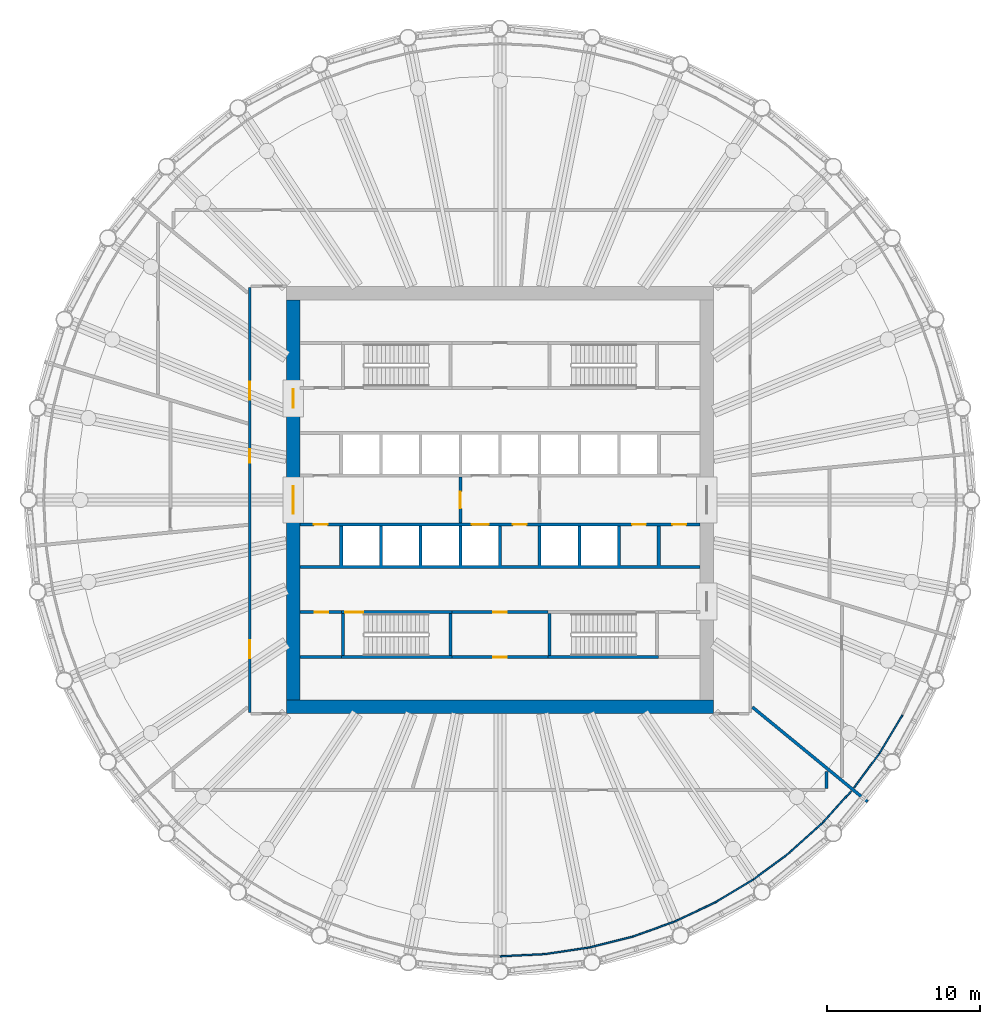
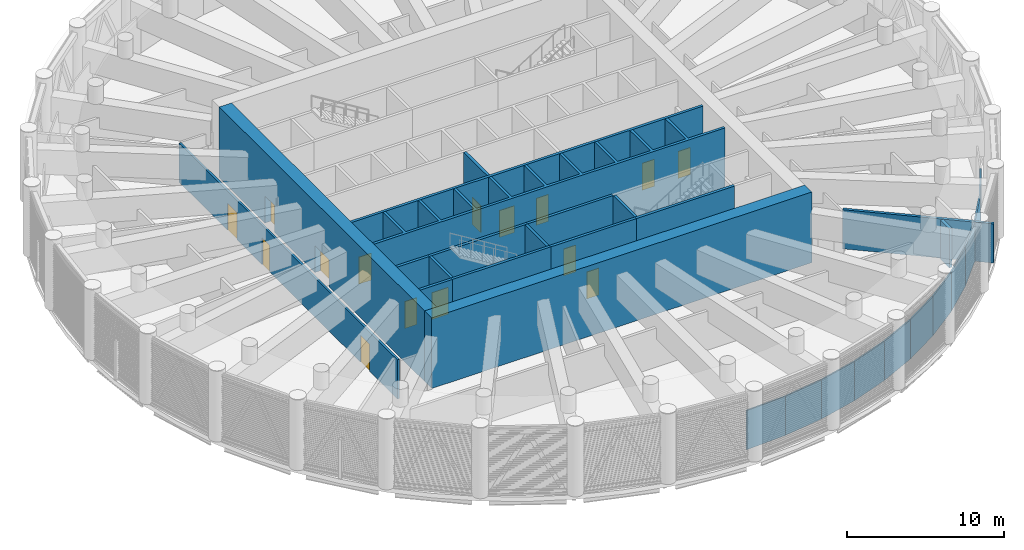
# One storey, part 8 of 23: 29 walls, 15 doors, 15 openings.
"""IFC4 building model written with IfcOpenShell, lengths in metres."""

from ifc_helpers import new_model, si_unit, direction, frame, frame_2d, origin, place, context, subcontext, project, spatial, polyline, rectangle, outline, extrude, material, layer, layer_set, type_object, element, fill, save


model = new_model("IFC4")

# Units and contexts
model_context = context("Model", 3, precision=1e-05, world=origin(), true_north=direction((0.0, 1.0)))
body_context = subcontext(model_context, "Body", "Model", "MODEL_VIEW")
ifc_project = project(units=[si_unit("LENGTHUNIT", "METRE"), si_unit("AREAUNIT", "SQUARE_METRE"), si_unit("VOLUMEUNIT", "CUBIC_METRE"), si_unit("PLANEANGLEUNIT", "RADIAN"), si_unit("MASSUNIT", "GRAM", prefix="KILO")], contexts=[model_context])

# Site, building, storey
site_placement = place(None, origin())
site = spatial("IfcSite", under=ifc_project, at=site_placement, CompositionType="ELEMENT")
building_placement = place(site_placement, origin())
building = spatial("IfcBuilding", under=site, at=building_placement, Name="Corvane Civic Tower", CompositionType="ELEMENT")
storey_placement = place(building_placement, frame((0.0, 0.0, 196.0)))
storey = spatial("IfcBuildingStorey", under=building, at=storey_placement, Name="L46", CompositionType="ELEMENT", Elevation=196.0)

# Wall
ifc_material_1 = material(Name="Concrete C60/75", Category="concrete")
ifc_layer_1 = layer(ifc_material_1, 0.89990234375)
ifc_layer_set_1 = layer_set([ifc_layer_1], Name="Concrete C60/75")
wall_type_1 = type_object("IfcWallType", Name="CORE WALL 900 C60/75", PredefinedType="SHEAR", material=ifc_layer_set_1)
wall_1_placement = place(storey_placement, frame((-14.0, -13.550048828125, 0.0), z_axis=(0.0, 0.0, 1.0), x_axis=(1.0, 0.0, 0.0)))
element("IfcWall", 1, at=wall_1_placement, inside=storey, type_object=wall_type_1, Name="W-L46-core-S", PredefinedType="SHEAR", context=body_context, shape_type="SweptSolid", body=[
    extrude(rectangle(XDim=28.0, YDim=0.89990234375, at=frame_2d((14.0, 0.0))), origin(), (0.0, 0.0, 1.0), 5.5),
])

# Wall, openings, doors
wall_2_placement = place(storey_placement, frame((-13.550048828125, -13.10009765625, 0.0), z_axis=(0.0, 0.0, 1.0), x_axis=(0.0, 1.0, 0.0)))
wall_2 = element("IfcWall", 2, at=wall_2_placement, inside=storey, type_object=wall_type_1, Name="W-L46-core-W", PredefinedType="SHEAR", context=body_context, shape_type="SweptSolid", body=[
    extrude(rectangle(XDim=26.2001953125, YDim=0.89990234375, at=frame_2d((13.10009765625, 0.0))), origin(), (0.0, 0.0, 1.0), 5.5),
])
opening_1_placement = place(wall_2_placement, frame((12.199951171875, 0.0, 0.0)))
opening_1 = element("IfcOpeningElement", 3, at=opening_1_placement, cuts=wall_2, Name="Opening L46.C21", PredefinedType="OPENING", context=body_context, shape_type="SweptSolid", body=[
    extrude(rectangle(XDim=1.800048828125, YDim=2.10009765625, at=frame_2d((0.89990234375, 1.050048828125))), frame((0.0, 0.4599609375, 0.0), z_axis=(0.0, -1.0, 0.0), x_axis=(1.0, 0.0, 0.0)), (0.0, 0.0, 1.0), 0.919921875),
])
opening_2_placement = place(wall_2_placement, frame((19.14990234375, 0.0, 0.0)))
opening_2 = element("IfcOpeningElement", 4, at=opening_2_placement, cuts=wall_2, Name="Opening L46.C23", PredefinedType="OPENING", context=body_context, shape_type="SweptSolid", body=[
    extrude(rectangle(XDim=1.199951171875, YDim=2.10009765625, at=frame_2d((0.60009765625, 1.050048828125))), frame((0.0, 0.4599609375, 0.0), z_axis=(0.0, -1.0, 0.0), x_axis=(1.0, 0.0, 0.0)), (0.0, 0.0, 1.0), 0.919921875),
])
ifc_material_2 = material(Name="Steel fire door leaf", Category="steel")
door_type_1 = type_object("IfcDoorType", Name="CR-DOOR-CORE-1800", OperationType="DOUBLE_DOOR_SINGLE_SWING", PredefinedType="DOOR", material=ifc_material_2)
door_1_placement = place(opening_1_placement, origin())
door_1 = element("IfcDoor", 5, at=door_1_placement, inside=storey, type_object=door_type_1, Name="L46 door", OperationType="DOUBLE_DOOR_SINGLE_SWING", OverallHeight=2.10009765625, OverallWidth=1.800048828125, PredefinedType="DOOR", context=body_context, shape_type="SweptSolid", body=[
    extrude(rectangle(XDim=1.800048828125, YDim=2.10009765625, at=frame_2d((0.89990234375, 1.050048828125))), frame((0.0, 0.02490234375, 0.0), z_axis=(0.0, -1.0, 0.0), x_axis=(1.0, 0.0, 0.0)), (0.0, 0.0, 1.0), 0.050048828125),
])
fill(opening_1, door_1)
door_2_placement = place(opening_2_placement, origin())
door_2 = element("IfcDoor", 6, at=door_2_placement, inside=storey, type_object=door_type_1, Name="L46 door", OperationType="DOUBLE_DOOR_SINGLE_SWING", OverallHeight=2.10009765625, OverallWidth=1.199951171875, PredefinedType="DOOR", context=body_context, shape_type="SweptSolid", body=[
    extrude(rectangle(XDim=1.199951171875, YDim=2.10009765625, at=frame_2d((0.60009765625, 1.050048828125))), frame((0.0, 0.02490234375, 0.0), z_axis=(0.0, -1.0, 0.0), x_axis=(1.0, 0.0, 0.0)), (0.0, 0.0, 1.0), 0.050048828125),
])
fill(opening_2, door_2)

# Wall, opening, door
ifc_material_3 = material(Name="Concrete C30/37", Category="concrete")
ifc_layer_2 = layer(ifc_material_3, 0.199951171875)
ifc_layer_set_2 = layer_set([ifc_layer_2], Name="Concrete C30/37")
wall_type_2 = type_object("IfcWallType", Name="CR-WALL-200", PredefinedType="PARTITIONING", material=ifc_layer_set_2)
wall_3_placement = place(storey_placement, frame((-3.14990234375, -10.300048828125, 0.0), z_axis=(0.0, 0.0, 1.0), x_axis=(1.0, 0.0, 0.0)))
wall_3 = element("IfcWall", 7, at=wall_3_placement, inside=storey, type_object=wall_type_2, Name="L46 partition wall", PredefinedType="PARTITIONING", context=body_context, shape_type="SweptSolid", body=[
    extrude(rectangle(XDim=6.2998046875, YDim=0.199951171875, at=frame_2d((3.14990234375, 0.0))), origin(), (0.0, 0.0, 1.0), 5.050048828125),
])
opening_3_placement = place(wall_3_placement, frame((2.699951171875, 0.0, 0.0)))
opening_3 = element("IfcOpeningElement", 8, at=opening_3_placement, cuts=wall_3, Name="Opening L46.C10", PredefinedType="OPENING", context=body_context, shape_type="SweptSolid", body=[
    extrude(rectangle(XDim=0.89990234375, YDim=2.10009765625, at=frame_2d((0.449951171875, 1.050048828125))), frame((0.0, 0.10986328125, 0.0), z_axis=(0.0, -1.0, 0.0), x_axis=(1.0, 0.0, 0.0)), (0.0, 0.0, 1.0), 0.219970703125),
])
ifc_material_4 = material(Name="Steel fire door leaf", Category="steel")
door_type_2 = type_object("IfcDoorType", Name="CR-DOOR-900", OperationType="SINGLE_SWING_LEFT", PredefinedType="DOOR", material=ifc_material_4)
door_3_placement = place(opening_3_placement, origin())
door_3 = element("IfcDoor", 9, at=door_3_placement, inside=storey, type_object=door_type_2, Name="L46 door", OperationType="SINGLE_SWING_LEFT", OverallHeight=2.10009765625, OverallWidth=0.89990234375, PredefinedType="DOOR", context=body_context, shape_type="SweptSolid", body=[
    extrude(rectangle(XDim=0.89990234375, YDim=2.10009765625, at=frame_2d((0.449951171875, 1.050048828125))), frame((0.0, 0.02490234375, 0.0), z_axis=(0.0, -1.0, 0.0), x_axis=(1.0, 0.0, 0.0)), (0.0, 0.0, 1.0), 0.050048828125),
])
fill(opening_3, door_3)

wall_4_placement = place(storey_placement, frame((-13.10009765625, -7.35009765625, 0.0), z_axis=(0.0, 0.0, 1.0), x_axis=(1.0, 0.0, 0.0)))
wall_4 = element("IfcWall", 10, at=wall_4_placement, inside=storey, type_object=wall_type_2, Name="L46 core partition wall", PredefinedType="PARTITIONING", context=body_context, shape_type="SweptSolid", body=[
    extrude(rectangle(XDim=2.7001953125, YDim=0.199951171875, at=frame_2d((1.35009765625, 0.0))), origin(), (0.0, 0.0, 1.0), 5.050048828125),
])
opening_4_placement = place(wall_4_placement, frame((0.949951171875, 0.0, 0.0)))
opening_4 = element("IfcOpeningElement", 11, at=opening_4_placement, cuts=wall_4, Name="Opening L46.C12", PredefinedType="OPENING", context=body_context, shape_type="SweptSolid", body=[
    extrude(rectangle(XDim=0.89990234375, YDim=2.10009765625, at=frame_2d((0.449951171875, 1.050048828125))), frame((0.0, 0.10986328125, 0.0), z_axis=(0.0, -1.0, 0.0), x_axis=(1.0, 0.0, 0.0)), (0.0, 0.0, 1.0), 0.219970703125),
])
door_4_placement = place(opening_4_placement, origin())
door_4 = element("IfcDoor", 12, at=door_4_placement, inside=storey, type_object=door_type_2, Name="L46 door", OperationType="SINGLE_SWING_LEFT", OverallHeight=2.10009765625, OverallWidth=0.89990234375, PredefinedType="DOOR", context=body_context, shape_type="SweptSolid", body=[
    extrude(rectangle(XDim=0.89990234375, YDim=2.10009765625, at=frame_2d((0.449951171875, 1.050048828125))), frame((0.0, 0.02490234375, 0.0), z_axis=(0.0, -1.0, 0.0), x_axis=(1.0, 0.0, 0.0)), (0.0, 0.0, 1.0), 0.050048828125),
])
fill(opening_4, door_4)

wall_5_placement = place(storey_placement, frame((-3.14990234375, -7.35009765625, 0.0), z_axis=(0.0, 0.0, 1.0), x_axis=(1.0, 0.0, 0.0)))
wall_5 = element("IfcWall", 13, at=wall_5_placement, inside=storey, type_object=wall_type_2, Name="L46 core partition wall", PredefinedType="PARTITIONING", context=body_context, shape_type="SweptSolid", body=[
    extrude(rectangle(XDim=6.2998046875, YDim=0.199951171875, at=frame_2d((3.14990234375, 0.0))), origin(), (0.0, 0.0, 1.0), 5.050048828125),
])
opening_5_placement = place(wall_5_placement, frame((2.699951171875, 0.0, 0.0)))
opening_5 = element("IfcOpeningElement", 14, at=opening_5_placement, cuts=wall_5, Name="Opening L46.C08", PredefinedType="OPENING", context=body_context, shape_type="SweptSolid", body=[
    extrude(rectangle(XDim=0.89990234375, YDim=2.10009765625, at=frame_2d((0.449951171875, 1.050048828125))), frame((0.0, 0.10986328125, 0.0), z_axis=(0.0, -1.0, 0.0), x_axis=(1.0, 0.0, 0.0)), (0.0, 0.0, 1.0), 0.219970703125),
])
door_5_placement = place(opening_5_placement, origin())
door_5 = element("IfcDoor", 15, at=door_5_placement, inside=storey, type_object=door_type_2, Name="L46 door", OperationType="SINGLE_SWING_LEFT", OverallHeight=2.10009765625, OverallWidth=0.89990234375, PredefinedType="DOOR", context=body_context, shape_type="SweptSolid", body=[
    extrude(rectangle(XDim=0.89990234375, YDim=2.10009765625, at=frame_2d((0.449951171875, 1.050048828125))), frame((0.0, 0.02490234375, 0.0), z_axis=(0.0, -1.0, 0.0), x_axis=(1.0, 0.0, 0.0)), (0.0, 0.0, 1.0), 0.050048828125),
])
fill(opening_5, door_5)

# Wall, openings, doors
wall_6_placement = place(storey_placement, frame((-13.10009765625, -1.60009765625, 0.0), z_axis=(0.0, 0.0, 1.0), x_axis=(1.0, 0.0, 0.0)))
wall_6 = element("IfcWall", 16, at=wall_6_placement, inside=storey, type_object=wall_type_2, Name="L46 lift shaft wall", PredefinedType="PARTITIONING", context=body_context, shape_type="SweptSolid", body=[
    extrude(rectangle(XDim=26.2001953125, YDim=0.199951171875, at=frame_2d((13.10009765625, 0.0))), origin(), (0.0, 0.0, 1.0), 5.050048828125),
])
opening_6_placement = place(wall_6_placement, frame((11.25, 0.0, 0.0)))
opening_6 = element("IfcOpeningElement", 17, at=opening_6_placement, cuts=wall_6, Name="Opening LD", PredefinedType="OPENING", context=body_context, shape_type="SweptSolid", body=[
    extrude(rectangle(XDim=1.10009765625, YDim=2.10009765625, at=frame_2d((0.550048828125, 1.050048828125))), frame((0.0, 0.10986328125, 0.0), z_axis=(0.0, -1.0, 0.0), x_axis=(1.0, 0.0, 0.0)), (0.0, 0.0, 1.0), 0.219970703125),
])
opening_7_placement = place(wall_6_placement, frame((13.949951171875, 0.0, 0.0)))
opening_7 = element("IfcOpeningElement", 18, at=opening_7_placement, cuts=wall_6, Name="Opening L46.C03", PredefinedType="OPENING", context=body_context, shape_type="SweptSolid", body=[
    extrude(rectangle(XDim=0.89990234375, YDim=2.10009765625, at=frame_2d((0.449951171875, 1.050048828125))), frame((0.0, 0.10986328125, 0.0), z_axis=(0.0, -1.0, 0.0), x_axis=(1.0, 0.0, 0.0)), (0.0, 0.0, 1.0), 0.219970703125),
])
opening_8_placement = place(wall_6_placement, frame((0.89990234375, 0.0, 0.0)))
opening_8 = element("IfcOpeningElement", 19, at=opening_8_placement, cuts=wall_6, Name="Opening L46.C04", PredefinedType="OPENING", context=body_context, shape_type="SweptSolid", body=[
    extrude(rectangle(XDim=0.89990234375, YDim=2.10009765625, at=frame_2d((0.449951171875, 1.050048828125))), frame((0.0, 0.10986328125, 0.0), z_axis=(0.0, -1.0, 0.0), x_axis=(1.0, 0.0, 0.0)), (0.0, 0.0, 1.0), 0.219970703125),
])
opening_9_placement = place(wall_6_placement, frame((21.75, 0.0, 0.0)))
opening_9 = element("IfcOpeningElement", 20, at=opening_9_placement, cuts=wall_6, Name="Opening L46.C05", PredefinedType="OPENING", context=body_context, shape_type="SweptSolid", body=[
    extrude(rectangle(XDim=0.89990234375, YDim=2.10009765625, at=frame_2d((0.449951171875, 1.050048828125))), frame((0.0, 0.10986328125, 0.0), z_axis=(0.0, -1.0, 0.0), x_axis=(1.0, 0.0, 0.0)), (0.0, 0.0, 1.0), 0.219970703125),
])
opening_10_placement = place(wall_6_placement, frame((24.39990234375, 0.0, 0.0)))
opening_10 = element("IfcOpeningElement", 21, at=opening_10_placement, cuts=wall_6, Name="Opening L46.C06", PredefinedType="OPENING", context=body_context, shape_type="SweptSolid", body=[
    extrude(rectangle(XDim=0.89990234375, YDim=2.10009765625, at=frame_2d((0.449951171875, 1.050048828125))), frame((0.0, 0.10986328125, 0.0), z_axis=(0.0, -1.0, 0.0), x_axis=(1.0, 0.0, 0.0)), (0.0, 0.0, 1.0), 0.219970703125),
])
door_6_placement = place(opening_7_placement, origin())
door_6 = element("IfcDoor", 22, at=door_6_placement, inside=storey, type_object=door_type_2, Name="L46 door", OperationType="SINGLE_SWING_LEFT", OverallHeight=2.10009765625, OverallWidth=0.89990234375, PredefinedType="DOOR", context=body_context, shape_type="SweptSolid", body=[
    extrude(rectangle(XDim=0.89990234375, YDim=2.10009765625, at=frame_2d((0.449951171875, 1.050048828125))), frame((0.0, 0.02490234375, 0.0), z_axis=(0.0, -1.0, 0.0), x_axis=(1.0, 0.0, 0.0)), (0.0, 0.0, 1.0), 0.050048828125),
])
fill(opening_7, door_6)
door_7_placement = place(opening_8_placement, origin())
door_7 = element("IfcDoor", 23, at=door_7_placement, inside=storey, type_object=door_type_2, Name="L46 door", OperationType="SINGLE_SWING_LEFT", OverallHeight=2.10009765625, OverallWidth=0.89990234375, PredefinedType="DOOR", context=body_context, shape_type="SweptSolid", body=[
    extrude(rectangle(XDim=0.89990234375, YDim=2.10009765625, at=frame_2d((0.449951171875, 1.050048828125))), frame((0.0, 0.02490234375, 0.0), z_axis=(0.0, -1.0, 0.0), x_axis=(1.0, 0.0, 0.0)), (0.0, 0.0, 1.0), 0.050048828125),
])
fill(opening_8, door_7)
door_8_placement = place(opening_9_placement, origin())
door_8 = element("IfcDoor", 24, at=door_8_placement, inside=storey, type_object=door_type_2, Name="L46 door", OperationType="SINGLE_SWING_LEFT", OverallHeight=2.10009765625, OverallWidth=0.89990234375, PredefinedType="DOOR", context=body_context, shape_type="SweptSolid", body=[
    extrude(rectangle(XDim=0.89990234375, YDim=2.10009765625, at=frame_2d((0.449951171875, 1.050048828125))), frame((0.0, 0.02490234375, 0.0), z_axis=(0.0, -1.0, 0.0), x_axis=(1.0, 0.0, 0.0)), (0.0, 0.0, 1.0), 0.050048828125),
])
fill(opening_9, door_8)
door_9_placement = place(opening_10_placement, origin())
door_9 = element("IfcDoor", 25, at=door_9_placement, inside=storey, type_object=door_type_2, Name="L46 door", OperationType="SINGLE_SWING_LEFT", OverallHeight=2.10009765625, OverallWidth=0.89990234375, PredefinedType="DOOR", context=body_context, shape_type="SweptSolid", body=[
    extrude(rectangle(XDim=0.89990234375, YDim=2.10009765625, at=frame_2d((0.449951171875, 1.050048828125))), frame((0.0, 0.02490234375, 0.0), z_axis=(0.0, -1.0, 0.0), x_axis=(1.0, 0.0, 0.0)), (0.0, 0.0, 1.0), 0.050048828125),
])
fill(opening_10, door_9)
ifc_material_5 = material(Name="Stainless steel 316 door leaves", Category="steel")
door_type_3 = type_object("IfcDoorType", Name="LD", OperationType="DOUBLE_DOOR_SLIDING", PredefinedType="DOOR", material=ifc_material_5)
door_10_placement = place(opening_6_placement, origin())
door_10 = element("IfcDoor", 26, at=door_10_placement, inside=storey, type_object=door_type_3, Name="L46 landing door", OperationType="DOUBLE_DOOR_SLIDING", OverallHeight=2.10009765625, OverallWidth=1.10009765625, PredefinedType="DOOR", context=body_context, shape_type="SweptSolid", body=[
    extrude(rectangle(XDim=1.10009765625, YDim=2.10009765625, at=frame_2d((0.550048828125, 1.050048828125))), frame((0.0, 0.02490234375, 0.0), z_axis=(0.0, -1.0, 0.0), x_axis=(1.0, 0.0, 0.0)), (0.0, 0.0, 1.0), 0.050048828125),
])
fill(opening_6, door_10)

# Wall, opening, door
wall_7_placement = place(storey_placement, frame((-2.60009765625, -1.5, 0.0), z_axis=(0.0, 0.0, 1.0), x_axis=(0.0, 1.0, 0.0)))
wall_7 = element("IfcWall", 27, at=wall_7_placement, inside=storey, type_object=wall_type_2, Name="L46 firefighting lobby wall", PredefinedType="PARTITIONING", context=body_context, shape_type="SweptSolid", body=[
    extrude(rectangle(XDim=3.0, YDim=0.199951171875, at=frame_2d((1.5, 0.0))), origin(), (0.0, 0.0, 1.0), 5.050048828125),
])
opening_11_placement = place(wall_7_placement, frame((0.949951171875, 0.0, 0.0)))
opening_11 = element("IfcOpeningElement", 28, at=opening_11_placement, cuts=wall_7, Name="Opening L46.C19", PredefinedType="OPENING", context=body_context, shape_type="SweptSolid", body=[
    extrude(rectangle(XDim=1.10009765625, YDim=2.10009765625, at=frame_2d((0.550048828125, 1.050048828125))), frame((0.0, 0.10986328125, 0.0), z_axis=(0.0, -1.0, 0.0), x_axis=(1.0, 0.0, 0.0)), (0.0, 0.0, 1.0), 0.219970703125),
])
ifc_material_6 = material(Name="Steel fire door leaf", Category="steel")
door_type_4 = type_object("IfcDoorType", Name="CR-DOOR-FFL-1100", OperationType="SINGLE_SWING_LEFT", PredefinedType="DOOR", material=ifc_material_6)
door_11_placement = place(opening_11_placement, origin())
door_11 = element("IfcDoor", 29, at=door_11_placement, inside=storey, type_object=door_type_4, Name="L46 lobby door", OperationType="SINGLE_SWING_LEFT", OverallHeight=2.10009765625, OverallWidth=1.10009765625, PredefinedType="DOOR", context=body_context, shape_type="SweptSolid", body=[
    extrude(rectangle(XDim=1.10009765625, YDim=2.10009765625, at=frame_2d((0.550048828125, 1.050048828125))), frame((0.0, 0.02490234375, 0.0), z_axis=(0.0, -1.0, 0.0), x_axis=(1.0, 0.0, 0.0)), (0.0, 0.0, 1.0), 0.050048828125),
])
fill(opening_11, door_11)

# Walls
wall_8_placement = place(storey_placement, origin())
element("IfcWall", 30, at=wall_8_placement, inside=storey, type_object=wall_type_2, Name="L46 core partition wall", PredefinedType="PARTITIONING", context=body_context, shape_type="SweptSolid", body=[
    extrude(outline(polyline([(-10.39990234375, -10.39990234375), (-13.10009765625, -10.39990234375), (-13.10009765625, -10.199951171875), (-10.39990234375, -10.199951171875), (-10.39990234375, -10.39990234375)])), origin(), (0.0, 0.0, 1.0), 5.050048828125),
])
wall_9_placement = place(storey_placement, origin())
element("IfcWall", 31, at=wall_9_placement, inside=storey, type_object=wall_type_2, Name="L46 core partition wall", PredefinedType="PARTITIONING", context=body_context, shape_type="SweptSolid", body=[
    extrude(outline(polyline([(-10.5, -1.699951171875), (-10.300048828125, -1.699951171875), (-10.300048828125, -4.300048828125), (-7.89990234375, -4.300048828125), (-7.89990234375, -1.699951171875), (-7.699951171875, -1.699951171875), (-7.699951171875, -4.300048828125), (-5.300048828125, -4.300048828125), (-5.300048828125, -1.699951171875), (-5.10009765625, -1.699951171875), (-5.10009765625, -4.300048828125), (-2.699951171875, -4.300048828125), (-2.699951171875, -1.699951171875), (-2.5, -1.699951171875), (-2.5, -4.300048828125), (-0.10009765625, -4.300048828125), (-0.10009765625, -1.699951171875), (0.10009765625, -1.699951171875), (0.10009765625, -4.300048828125), (2.5, -4.300048828125), (2.5, -1.699951171875), (2.699951171875, -1.699951171875), (2.699951171875, -4.300048828125), (5.10009765625, -4.300048828125), (5.10009765625, -1.699951171875), (5.300048828125, -1.699951171875), (5.300048828125, -4.300048828125), (7.699951171875, -4.300048828125), (7.699951171875, -1.699951171875), (7.89990234375, -1.699951171875), (7.89990234375, -4.300048828125), (10.300048828125, -4.300048828125), (10.300048828125, -1.699951171875), (10.5, -1.699951171875), (10.5, -4.300048828125), (13.10009765625, -4.300048828125), (13.10009765625, -4.5), (-13.10009765625, -4.5), (-13.10009765625, -4.300048828125), (-10.5, -4.300048828125), (-10.5, -1.699951171875)])), origin(), (0.0, 0.0, 1.0), 5.050048828125),
])
ifc_material_7 = material(Name="Plasterboard")
ifc_layer_3 = layer(ifc_material_7, 0.10009765625)
ifc_layer_set_3 = layer_set([ifc_layer_3], Name="Plasterboard")
wall_type_3 = type_object("IfcWallType", Name="Partition 100 plasterboard on studs", PredefinedType="PARTITIONING", material=ifc_layer_set_3)
for number, where, z_axis, x_axis, name in (
    (32, (0.0, -29.898681640625, 0.0), (0.0, 0.0, 1.0), (0.998798385144, 0.049008018065, 0.0), "Partition L46.059"),
    (33, (2.9306640625, -29.7548828125, 0.0), (0.0, 0.0, 1.0), (0.989169482721, 0.146777840471, 0.0), "Partition L46.061"),
    (34, (5.8330078125, -29.32421875, 0.0), (0.0, 0.0, 1.0), (0.970015110427, 0.243044616363, 0.0), "Partition L46.063"),
):
    element("IfcWall", number, at=place(storey_placement, frame(where, z_axis=z_axis, x_axis=x_axis)), inside=storey, type_object=wall_type_3, Name=name, PredefinedType="PARTITIONING", context=body_context, shape_type="SweptSolid", body=[
        extrude(rectangle(XDim=2.93408203125, YDim=0.10009765625, at=frame_2d((1.467041015625, 0.0))), origin(), (0.0, 0.0, 1.0), 3.050048828125),
    ])
wall_10_placement = place(storey_placement, frame((8.67919921875, -28.611083984375, 0.0), z_axis=(0.0, 0.0, 1.0), x_axis=(0.941559155227, 0.336847676567, 0.0)))
element("IfcWall", 35, at=wall_10_placement, inside=storey, type_object=wall_type_3, Name="Partition L46.065", PredefinedType="PARTITIONING", context=body_context, shape_type="SweptSolid", body=[
    extrude(rectangle(XDim=2.933837890625, YDim=0.10009765625, at=frame_2d((1.466796875, 0.0))), origin(), (0.0, 0.0, 1.0), 3.050048828125),
])
wall_11_placement = place(storey_placement, frame((11.441650390625, -27.622802734375, 0.0), z_axis=(0.0, 0.0, 1.0), x_axis=(0.90401380602, 0.42750326142, 0.0)))
element("IfcWall", 36, at=wall_11_placement, inside=storey, type_object=wall_type_3, Name="Partition L46.067", PredefinedType="PARTITIONING", context=body_context, shape_type="SweptSolid", body=[
    extrude(rectangle(XDim=2.934326171875, YDim=0.10009765625, at=frame_2d((1.46728515625, 0.0))), origin(), (0.0, 0.0, 1.0), 3.050048828125),
])
wall_12_placement = place(storey_placement, frame((14.09423828125, -26.368408203125, 0.0), z_axis=(0.0, 0.0, 1.0), x_axis=(0.857705766305, 0.514140854676, 0.0)))
element("IfcWall", 37, at=wall_12_placement, inside=storey, type_object=wall_type_3, Name="Partition L46.069", PredefinedType="PARTITIONING", context=body_context, shape_type="SweptSolid", body=[
    extrude(rectangle(XDim=2.93408203125, YDim=0.10009765625, at=frame_2d((1.467041015625, 0.0))), origin(), (0.0, 0.0, 1.0), 3.050048828125),
])
wall_13_placement = place(storey_placement, frame((16.61083984375, -24.85986328125, 0.0), z_axis=(0.0, 0.0, 1.0), x_axis=(0.803173799332, 0.595744784338, 0.0)))
element("IfcWall", 38, at=wall_13_placement, inside=storey, type_object=wall_type_3, Name="Partition L46.071", PredefinedType="PARTITIONING", context=body_context, shape_type="SweptSolid", body=[
    extrude(rectangle(XDim=2.934326171875, YDim=0.10009765625, at=frame_2d((1.46728515625, 0.0))), origin(), (0.0, 0.0, 1.0), 3.050048828125),
])
wall_14_placement = place(storey_placement, frame((18.967529296875, -23.11181640625, 0.0), z_axis=(0.0, 0.0, 1.0), x_axis=(0.740993420885, 0.671512285968, 0.0)))
element("IfcWall", 39, at=wall_14_placement, inside=storey, type_object=wall_type_3, Name="Partition L46.073", PredefinedType="PARTITIONING", context=body_context, shape_type="SweptSolid", body=[
    extrude(rectangle(XDim=2.93408203125, YDim=0.10009765625, at=frame_2d((1.467041015625, 0.0))), origin(), (0.0, 0.0, 1.0), 3.050048828125),
])
for number, where, z_axis, x_axis, name in (
    (40, (21.1416015625, -21.1416015625, 0.0), (0.0, 0.0, 1.0), (0.671519424739, 0.740986951436, 0.0), "Partition L46.075"),
    (41, (23.195556640625, -18.85498046875, 0.0), (0.0, 0.0, 1.0), (0.595685108219, 0.80321805996, 0.0), "Partition L46.077"),
):
    element("IfcWall", number, at=place(storey_placement, frame(where, z_axis=z_axis, x_axis=x_axis)), inside=storey, type_object=wall_type_3, Name=name, PredefinedType="PARTITIONING", context=body_context, shape_type="SweptSolid", body=[
        extrude(rectangle(XDim=2.7939453125, YDim=0.10009765625, at=frame_2d((1.39697265625, 0.0))), origin(), (0.0, 0.0, 1.0), 3.050048828125),
    ])
wall_15_placement = place(storey_placement, frame((24.85986328125, -16.61083984375, 0.0), z_axis=(0.0, 0.0, 1.0), x_axis=(0.514140854676, 0.857705766305, 0.0)))
element("IfcWall", 42, at=wall_15_placement, inside=storey, type_object=wall_type_3, Name="Partition L46.079", PredefinedType="PARTITIONING", context=body_context, shape_type="SweptSolid", body=[
    extrude(rectangle(XDim=2.93408203125, YDim=0.10009765625, at=frame_2d((1.467041015625, 0.0))), origin(), (0.0, 0.0, 1.0), 3.050048828125),
])
ifc_material_8 = material(Name="Gypsum fibreboard")
ifc_layer_4 = layer(ifc_material_8, 0.199951171875)
ifc_layer_set_4 = layer_set([ifc_layer_4], Name="Gypsum fibreboard")
wall_type_4 = type_object("IfcWallType", Name="Plant and refuge wall 200 EI 120", PredefinedType="PARTITIONING", material=ifc_layer_set_4)
wall_16_placement = place(storey_placement, frame((16.538330078125, -13.57275390625, 0.0), z_axis=(0.0, 0.0, 1.0), x_axis=(0.773012005749, -0.634391392571, 0.0)))
element("IfcWall", 43, at=wall_16_placement, inside=storey, type_object=wall_type_4, Name="Partition L46.002", PredefinedType="PARTITIONING", context=body_context, shape_type="SweptSolid", body=[
    extrude(rectangle(XDim=9.75537109375, YDim=0.199951171875, at=frame_2d((4.877685546875, 0.0))), origin(), (0.0, 0.0, 1.0), 3.050048828125),
])
wall_17_placement = place(storey_placement, frame((21.39990234375, -18.89990234375, 0.0), z_axis=(0.0, 0.0, 1.0), x_axis=(0.0, 1.0, 0.0)))
element("IfcWall", 44, at=wall_17_placement, inside=storey, type_object=wall_type_4, Name="Partition L46.005", PredefinedType="PARTITIONING", context=body_context, shape_type="SweptSolid", body=[
    extrude(rectangle(XDim=1.1259765625, YDim=0.199951171875, at=frame_2d((0.56298828125, 0.0))), origin(), (0.0, 0.0, 1.0), 3.050048828125),
])

# Wall, opening, door
ifc_material_9 = material(Name="Concrete C50/60", Category="concrete")
ifc_layer_5 = layer(ifc_material_9, 0.199951171875)
ifc_layer_set_5 = layer_set([ifc_layer_5], Name="Concrete C50/60")
wall_type_5 = type_object("IfcWallType", Name="ST-WALL-200", PredefinedType="SHEAR", material=ifc_layer_set_5)
wall_18_placement = place(storey_placement, frame((-10.39990234375, -7.35009765625, 0.0), z_axis=(0.0, 0.0, 1.0), x_axis=(1.0, 0.0, 0.0)))
wall_18 = element("IfcWall", 45, at=wall_18_placement, inside=storey, type_object=wall_type_5, Name="L46 stair enclosure wall", PredefinedType="SHEAR", context=body_context, shape_type="SweptSolid", body=[
    extrude(rectangle(XDim=7.25, YDim=0.199951171875, at=frame_2d((3.625, 0.0))), origin(), (0.0, 0.0, 1.0), 5.050048828125),
])
opening_12_placement = place(wall_18_placement, frame((0.25, 0.0, 0.0)))
opening_12 = element("IfcOpeningElement", 46, at=opening_12_placement, cuts=wall_18, Name="Opening L46.C18", PredefinedType="OPENING", context=body_context, shape_type="SweptSolid", body=[
    extrude(rectangle(XDim=1.199951171875, YDim=2.10009765625, at=frame_2d((0.60009765625, 1.050048828125))), frame((0.0, 0.10986328125, 0.0), z_axis=(0.0, -1.0, 0.0), x_axis=(1.0, 0.0, 0.0)), (0.0, 0.0, 1.0), 0.219970703125),
])
ifc_material_10 = material(Name="Steel fire door leaf", Category="steel")
door_type_5 = type_object("IfcDoorType", Name="ST-DOOR-1200", OperationType="SINGLE_SWING_RIGHT", PredefinedType="DOOR", material=ifc_material_10)
door_12_placement = place(opening_12_placement, origin())
door_12 = element("IfcDoor", 47, at=door_12_placement, inside=storey, type_object=door_type_5, Name="L46 stair door", OperationType="SINGLE_SWING_RIGHT", OverallHeight=2.10009765625, OverallWidth=1.199951171875, PredefinedType="DOOR", context=body_context, shape_type="SweptSolid", body=[
    extrude(rectangle(XDim=1.199951171875, YDim=2.10009765625, at=frame_2d((0.60009765625, 1.050048828125))), frame((0.0, 0.02490234375, 0.0), z_axis=(0.0, -1.0, 0.0), x_axis=(1.0, 0.0, 0.0)), (0.0, 0.0, 1.0), 0.050048828125),
])
fill(opening_12, door_12)

# Walls
wall_19_placement = place(storey_placement, origin())
element("IfcWall", 48, at=wall_19_placement, inside=storey, type_object=wall_type_5, Name="L46 stair enclosure wall", PredefinedType="SHEAR", context=body_context, shape_type="SweptSolid", body=[
    extrude(outline(polyline([(-3.14990234375, -10.199951171875), (-3.14990234375, -10.39990234375), (-10.39990234375, -10.39990234375), (-10.39990234375, -10.199951171875), (-3.14990234375, -10.199951171875)])), origin(), (0.0, 0.0, 1.0), 5.050048828125),
])
wall_20_placement = place(storey_placement, origin())
element("IfcWall", 49, at=wall_20_placement, inside=storey, type_object=wall_type_5, Name="L46 stair enclosure wall", PredefinedType="SHEAR", context=body_context, shape_type="SweptSolid", body=[
    extrude(outline(polyline([(10.39990234375, -10.39990234375), (3.14990234375, -10.39990234375), (3.14990234375, -10.199951171875), (10.39990234375, -10.199951171875), (10.39990234375, -10.39990234375)])), origin(), (0.0, 0.0, 1.0), 5.050048828125),
])
wall_21_placement = place(storey_placement, origin())
element("IfcWall", 50, at=wall_21_placement, inside=storey, type_object=wall_type_5, Name="L46 stair enclosure wall", PredefinedType="SHEAR", context=body_context, shape_type="SweptSolid", body=[
    extrude(outline(polyline([(-3.14990234375, -7.449951171875), (-3.14990234375, -10.199951171875), (-3.35009765625, -10.199951171875), (-3.35009765625, -7.449951171875), (-3.14990234375, -7.449951171875)])), origin(), (0.0, 0.0, 1.0), 5.050048828125),
])
wall_22_placement = place(storey_placement, origin())
element("IfcWall", 51, at=wall_22_placement, inside=storey, type_object=wall_type_5, Name="L46 stair enclosure wall", PredefinedType="SHEAR", context=body_context, shape_type="SweptSolid", body=[
    extrude(outline(polyline([(3.35009765625, -7.449951171875), (3.35009765625, -10.199951171875), (3.14990234375, -10.199951171875), (3.14990234375, -7.449951171875), (3.35009765625, -7.449951171875)])), origin(), (0.0, 0.0, 1.0), 5.050048828125),
])
wall_23_placement = place(storey_placement, origin())
element("IfcWall", 52, at=wall_23_placement, inside=storey, type_object=wall_type_5, Name="L46 stair enclosure wall", PredefinedType="SHEAR", context=body_context, shape_type="SweptSolid", body=[
    extrude(outline(polyline([(-10.199951171875, -7.449951171875), (-10.199951171875, -10.199951171875), (-10.39990234375, -10.199951171875), (-10.39990234375, -7.449951171875), (-10.199951171875, -7.449951171875)])), origin(), (0.0, 0.0, 1.0), 5.050048828125),
])

# Wall, openings, doors
ifc_material_11 = material(Name="Plasterboard")
ifc_layer_6 = layer(ifc_material_11, 0.14990234375)
ifc_layer_set_6 = layer_set([ifc_layer_6], Name="Plasterboard")
wall_type_6 = type_object("IfcWallType", Name="Tenancy wall 150 EI 60", PredefinedType="PARTITIONING", material=ifc_layer_set_6)
wall_24_placement = place(storey_placement, frame((-16.39990234375, -13.925048828125, 0.0), z_axis=(0.0, 0.0, 1.0), x_axis=(0.0, 1.0, 0.0)))
wall_24 = element("IfcWall", 53, at=wall_24_placement, inside=storey, type_object=wall_type_6, Name="Partition L46.010", PredefinedType="PARTITIONING", context=body_context, shape_type="SweptSolid", body=[
    extrude(rectangle(XDim=27.85009765625, YDim=0.14990234375, at=frame_2d((13.925048828125, 0.0))), origin(), (0.0, 0.0, 1.0), 3.050048828125),
])
opening_13_placement = place(wall_24_placement, frame((3.54150390625, 0.0, 0.0)))
opening_13 = element("IfcOpeningElement", 54, at=opening_13_placement, cuts=wall_24, Name="Opening L46.012", PredefinedType="OPENING", context=body_context, shape_type="SweptSolid", body=[
    extrude(rectangle(XDim=1.199951171875, YDim=2.10009765625, at=frame_2d((0.60009765625, 1.050048828125))), frame((0.0, 0.0849609375, 0.0), z_axis=(0.0, -1.0, 0.0), x_axis=(1.0, 0.0, 0.0)), (0.0, 0.0, 1.0), 0.169921875),
])
opening_14_placement = place(wall_24_placement, frame((16.35595703125, 0.0, 0.0)))
opening_14 = element("IfcOpeningElement", 55, at=opening_14_placement, cuts=wall_24, Name="Opening L46.014", PredefinedType="OPENING", context=body_context, shape_type="SweptSolid", body=[
    extrude(rectangle(XDim=0.89990234375, YDim=2.10009765625, at=frame_2d((0.449951171875, 1.050048828125))), frame((0.0, 0.0849609375, 0.0), z_axis=(0.0, -1.0, 0.0), x_axis=(1.0, 0.0, 0.0)), (0.0, 0.0, 1.0), 0.169921875),
])
opening_15_placement = place(wall_24_placement, frame((20.484375, 0.0, 0.0)))
opening_15 = element("IfcOpeningElement", 56, at=opening_15_placement, cuts=wall_24, Name="Opening L46.016", PredefinedType="OPENING", context=body_context, shape_type="SweptSolid", body=[
    extrude(rectangle(XDim=1.199951171875, YDim=2.10009765625, at=frame_2d((0.60009765625, 1.050048828125))), frame((0.0, 0.0849609375, 0.0), z_axis=(0.0, -1.0, 0.0), x_axis=(1.0, 0.0, 0.0)), (0.0, 0.0, 1.0), 0.169921875),
])
ifc_material_12 = material(Name="Steel and timber", Category="steel")
door_type_6 = type_object("IfcDoorType", Name="Fire door FD30S 900", OperationType="NOTDEFINED", PredefinedType="DOOR", material=ifc_material_12)
door_13_placement = place(opening_14_placement, origin())
door_13 = element("IfcDoor", 57, at=door_13_placement, inside=storey, type_object=door_type_6, Name="Door L46.014", OperationType="SINGLE_SWING_RIGHT", OverallHeight=2.10009765625, OverallWidth=0.89990234375, PredefinedType="DOOR", context=body_context, shape_type="SweptSolid", body=[
    extrude(rectangle(XDim=0.89990234375, YDim=2.10009765625, at=frame_2d((0.449951171875, 1.050048828125))), frame((0.0, 0.02490234375, 0.0), z_axis=(0.0, -1.0, 0.0), x_axis=(1.0, 0.0, 0.0)), (0.0, 0.0, 1.0), 0.050048828125),
])
fill(opening_14, door_13)
ifc_material_13 = material(Name="Steel and timber", Category="steel")
door_type_7 = type_object("IfcDoorType", Name="Fire door FD60 1200", OperationType="NOTDEFINED", PredefinedType="DOOR", material=ifc_material_13)
door_14_placement = place(opening_13_placement, origin())
door_14 = element("IfcDoor", 58, at=door_14_placement, inside=storey, type_object=door_type_7, Name="Door L46.012", OperationType="SINGLE_SWING_LEFT", OverallHeight=2.10009765625, OverallWidth=1.199951171875, PredefinedType="DOOR", context=body_context, shape_type="SweptSolid", body=[
    extrude(rectangle(XDim=1.199951171875, YDim=2.10009765625, at=frame_2d((0.60009765625, 1.050048828125))), frame((0.0, 0.02490234375, 0.0), z_axis=(0.0, -1.0, 0.0), x_axis=(1.0, 0.0, 0.0)), (0.0, 0.0, 1.0), 0.050048828125),
])
fill(opening_13, door_14)
door_15_placement = place(opening_15_placement, origin())
door_15 = element("IfcDoor", 59, at=door_15_placement, inside=storey, type_object=door_type_7, Name="Door L46.016", OperationType="SINGLE_SWING_LEFT", OverallHeight=2.10009765625, OverallWidth=1.199951171875, PredefinedType="DOOR", context=body_context, shape_type="SweptSolid", body=[
    extrude(rectangle(XDim=1.199951171875, YDim=2.10009765625, at=frame_2d((0.60009765625, 1.050048828125))), frame((0.0, 0.02490234375, 0.0), z_axis=(0.0, -1.0, 0.0), x_axis=(1.0, 0.0, 0.0)), (0.0, 0.0, 1.0), 0.050048828125),
])
fill(opening_15, door_15)

save(model, "model.ifc")
